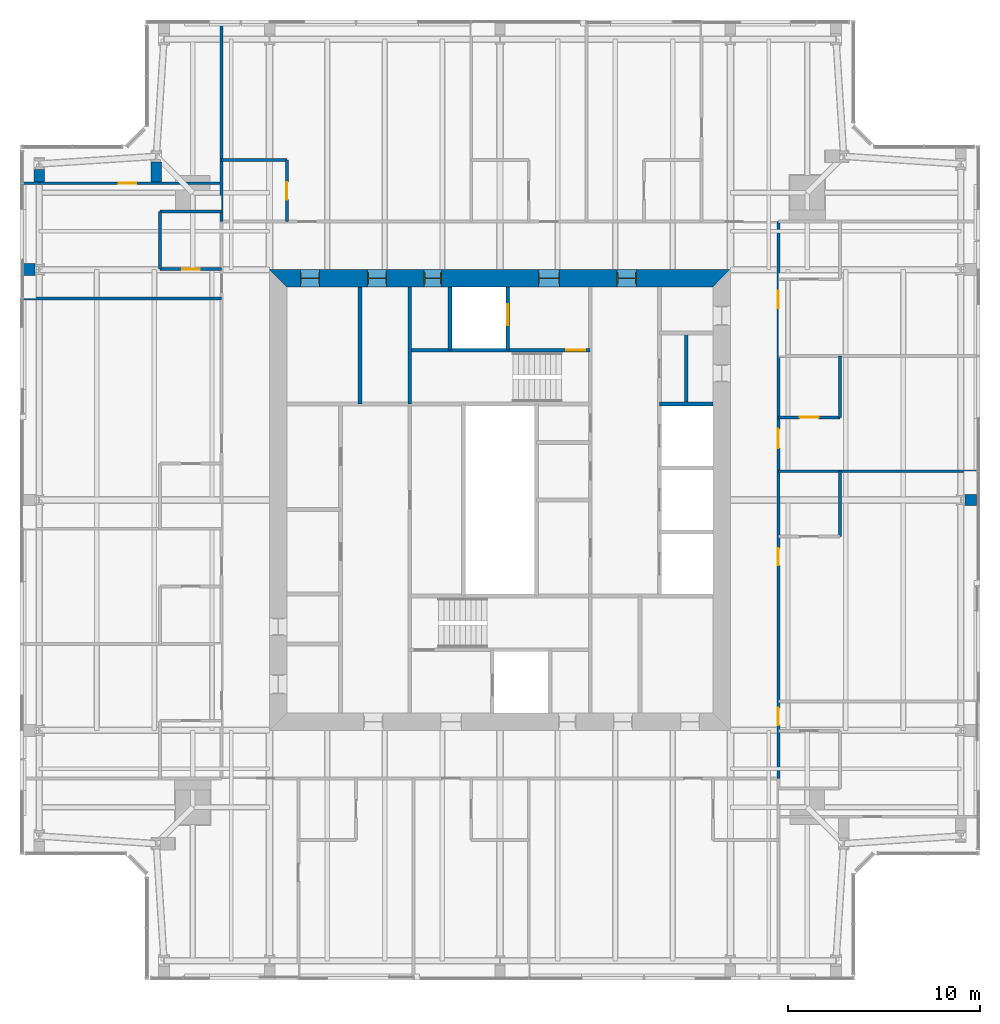
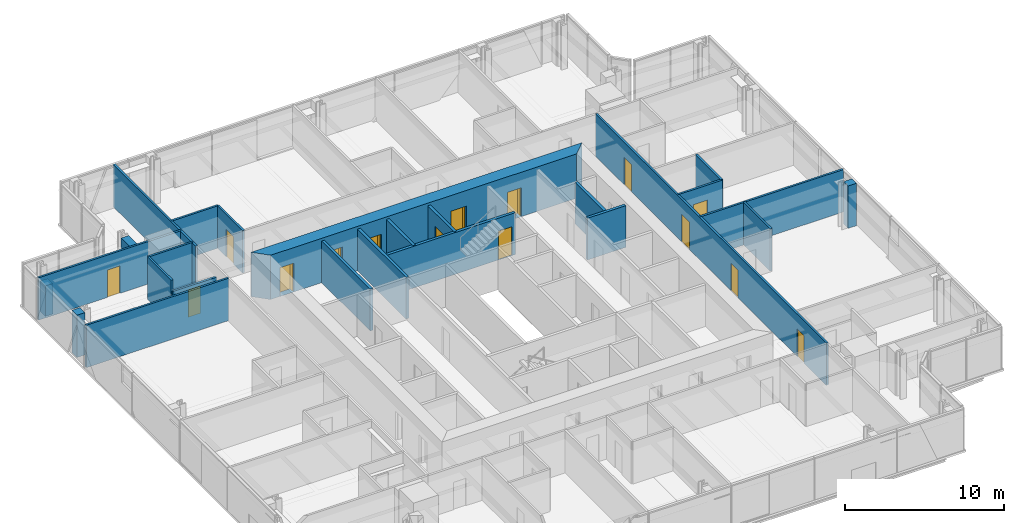
# One storey, part 14 of 18: 25 walls, 15 doors, 15 openings.
"""IFC4 building model written with IfcOpenShell, lengths in metres."""

from ifc_helpers import new_model, si_unit, direction, frame, frame_2d, origin, place, context, subcontext, project, spatial, polyline, rectangle, outline, extrude, material, layer, layer_set, type_object, element, fill, save


model = new_model("IFC4")

# Units and contexts
model_context = context("Model", 3, precision=1e-05, world=origin(), true_north=direction((0.0, 1.0)))
body_context = subcontext(model_context, "Body", "Model", "MODEL_VIEW")
ifc_project = project(units=[si_unit("LENGTHUNIT", "METRE"), si_unit("AREAUNIT", "SQUARE_METRE"), si_unit("VOLUMEUNIT", "CUBIC_METRE"), si_unit("PLANEANGLEUNIT", "RADIAN"), si_unit("MASSUNIT", "GRAM", prefix="KILO")], contexts=[model_context])

# Site, building, storey
site_placement = place(None, origin())
site = spatial("IfcSite", under=ifc_project, at=site_placement, CompositionType="ELEMENT")
building_placement = place(site_placement, origin())
building = spatial("IfcBuilding", under=site, at=building_placement, Name="Fenwick Lantern Interchange", CompositionType="ELEMENT")
storey_placement = place(building_placement, frame((0.0, 0.0, 290.0)))
storey = spatial("IfcBuildingStorey", under=building, at=storey_placement, Name="L70", CompositionType="ELEMENT", Elevation=290.0)

# Walls
ifc_material_1 = material(Name="Fire-rated gypsum board encasement on steel studs, 2 hour", Category="steel")
ifc_layer_1 = layer(ifc_material_1, 0.554931640625)
ifc_layer_set_1 = layer_set([ifc_layer_1], Name="COLUMN PIER 555")
wall_type_1 = type_object("IfcWallType", Name="COLUMN PIER 555", PredefinedType="PARTITIONING", material=ifc_layer_set_1)
wall_1_placement = place(storey_placement, frame((7.10009765625, 41.574951171875, 0.0), z_axis=(0.0, 0.0, 1.0), x_axis=(0.0, 1.0, 0.0)))
element("IfcWall", 1, at=wall_1_placement, inside=storey, type_object=wall_type_1, Name="L70/W/PIER/CNR", PredefinedType="PARTITIONING", context=body_context, shape_type="SweptSolid", body=[
    extrude(rectangle(XDim=1.04052734375, YDim=0.554931640625, at=frame_2d((0.520263671875, 0.0))), origin(), (0.0, 0.0, 1.0), 3.25),
])
wall_2_placement = place(storey_placement, frame((1.0, 41.574951171875, 0.0), z_axis=(0.0, 0.0, 1.0), x_axis=(0.0, 1.0, 0.0)))
element("IfcWall", 2, at=wall_2_placement, inside=storey, type_object=wall_type_1, Name="L70/W/PIER/CW1", PredefinedType="PARTITIONING", context=body_context, shape_type="SweptSolid", body=[
    extrude(rectangle(XDim=0.640625, YDim=0.554931640625, at=frame_2d((0.3203125, 0.0))), origin(), (0.0, 0.0, 1.0), 2.338134765625),
])
ifc_layer_2 = layer(ifc_material_1, 0.574951171875)
ifc_layer_set_2 = layer_set([ifc_layer_2], Name="COLUMN PIER 575")
wall_type_2 = type_object("IfcWallType", Name="COLUMN PIER 575", PredefinedType="PARTITIONING", material=ifc_layer_set_2)
wall_3_placement = place(storey_placement, frame((49.81005859375, 25.0, 0.0), z_axis=(0.0, 0.0, 1.0), x_axis=(-1.0, 0.0, 0.0)))
element("IfcWall", 3, at=wall_3_placement, inside=storey, type_object=wall_type_2, Name="L70/W/PIER/CE3", PredefinedType="PARTITIONING", context=body_context, shape_type="SweptSolid", body=[
    extrude(rectangle(XDim=0.597900390625, YDim=0.574951171875, at=frame_2d((0.298828125, 0.0))), origin(), (0.0, 0.0, 1.0), 3.25),
])
ifc_layer_3 = layer(ifc_material_1, 0.631103515625)
ifc_layer_set_3 = layer_set([ifc_layer_3], Name="COLUMN PIER 631")
wall_type_3 = type_object("IfcWallType", Name="COLUMN PIER 631", PredefinedType="PARTITIONING", material=ifc_layer_set_3)
wall_4_placement = place(storey_placement, frame((0.18994140625, 37.0, 0.0), z_axis=(0.0, 0.0, 1.0), x_axis=(1.0, 0.0, 0.0)))
element("IfcWall", 4, at=wall_4_placement, inside=storey, type_object=wall_type_3, Name="L70/W/PIER/CW2", PredefinedType="PARTITIONING", context=body_context, shape_type="SweptSolid", body=[
    extrude(rectangle(XDim=0.589111328125, YDim=0.631103515625, at=frame_2d((0.29443359375, 0.0))), origin(), (0.0, 0.0, 1.0), 3.25),
])
ifc_material_2 = material(Name="Concrete masonry ASTM C90 Grade N", Category="masonry")
ifc_layer_4 = layer(ifc_material_2, 0.199951171875)
ifc_layer_set_4 = layer_set([ifc_layer_4], Name="Concrete masonry ASTM C90 Grade N")
wall_type_4 = type_object("IfcWallType", Name="CORE PARTITION 200", PredefinedType="PARTITIONING", material=ifc_layer_set_4)
wall_5_placement = place(storey_placement, frame((36.10009765625, 30.0, 0.0), z_axis=(0.0, 0.0, 1.0), x_axis=(-1.0, 0.0, 0.0)))
element("IfcWall", 5, at=wall_5_placement, inside=storey, type_object=wall_type_4, Name="L70/W/COREN/c2", PredefinedType="PARTITIONING", context=body_context, shape_type="SweptSolid", body=[
    extrude(rectangle(XDim=2.800048828125, YDim=0.199951171875, at=frame_2d((1.39990234375, 0.0))), origin(), (0.0, 0.0, 1.0), 3.199951171875),
])

# Wall, opening, door
wall_6_placement = place(storey_placement, frame((25.39990234375, 36.10009765625, 0.0), z_axis=(0.0, 0.0, 1.0), x_axis=(0.0, -1.0, 0.0)))
wall_6 = element("IfcWall", 6, at=wall_6_placement, inside=storey, type_object=wall_type_4, Name="L70/W/COREN/h1", PredefinedType="PARTITIONING", context=body_context, shape_type="SweptSolid", body=[
    extrude(rectangle(XDim=3.300048828125, YDim=0.199951171875, at=frame_2d((1.64990234375, 0.0))), origin(), (0.0, 0.0, 1.0), 3.199951171875),
])
opening_1_placement = place(wall_6_placement, frame((0.89990234375, 0.0, 0.0)))
opening_1 = element("IfcOpeningElement", 7, at=opening_1_placement, cuts=wall_6, Name="Opening LD-FL2", PredefinedType="OPENING", context=body_context, shape_type="SweptSolid", body=[
    extrude(rectangle(XDim=1.10009765625, YDim=2.199951171875, at=frame_2d((0.550048828125, 1.10009765625))), frame((0.0, 0.10986328125, 0.0), z_axis=(0.0, -1.0, 0.0), x_axis=(1.0, 0.0, 0.0)), (0.0, 0.0, 1.0), 0.219970703125),
])
ifc_material_3 = material(Name="Steel door and frame", Category="steel")
door_type_1 = type_object("IfcDoorType", Name="LIFT LANDING DOOR 1100 X 2200", OperationType="DOUBLE_DOOR_SLIDING", PredefinedType="DOOR", material=ifc_material_3)
door_1_placement = place(opening_1_placement, origin())
door_1 = element("IfcDoor", 8, at=door_1_placement, inside=storey, type_object=door_type_1, Name="Lift landing door FL2", OperationType="DOUBLE_DOOR_SLIDING", OverallHeight=2.199951171875, OverallWidth=1.10009765625, PredefinedType="DOOR", context=body_context, shape_type="SweptSolid", body=[
    extrude(rectangle(XDim=1.10009765625, YDim=2.199951171875, at=frame_2d((0.550048828125, 1.10009765625))), frame((0.0, 0.02490234375, 0.0), z_axis=(0.0, -1.0, 0.0), x_axis=(1.0, 0.0, 0.0)), (0.0, 0.0, 1.0), 0.050048828125),
])
fill(opening_1, door_1)

# Walls
wall_7_placement = place(storey_placement, frame((22.39990234375, 36.10009765625, 0.0), z_axis=(0.0, 0.0, 1.0), x_axis=(0.0, -1.0, 0.0)))
element("IfcWall", 9, at=wall_7_placement, inside=storey, type_object=wall_type_4, Name="L70/W/COREN/h2", PredefinedType="PARTITIONING", context=body_context, shape_type="SweptSolid", body=[
    extrude(rectangle(XDim=3.300048828125, YDim=0.199951171875, at=frame_2d((1.64990234375, 0.0))), origin(), (0.0, 0.0, 1.0), 3.199951171875),
])
wall_8_placement = place(storey_placement, frame((17.699951171875, 36.10009765625, 0.0), z_axis=(0.0, 0.0, 1.0), x_axis=(0.0, -1.0, 0.0)))
element("IfcWall", 10, at=wall_8_placement, inside=storey, type_object=wall_type_4, Name="L70/W/COREN/i2", PredefinedType="PARTITIONING", context=body_context, shape_type="SweptSolid", body=[
    extrude(rectangle(XDim=6.10009765625, YDim=0.199951171875, at=frame_2d((3.050048828125, 0.0))), origin(), (0.0, 0.0, 1.0), 3.199951171875),
])
wall_9_placement = place(storey_placement, frame((34.699951171875, 33.699951171875, 0.0), z_axis=(0.0, 0.0, 1.0), x_axis=(0.0, -1.0, 0.0)))
element("IfcWall", 11, at=wall_9_placement, inside=storey, type_object=wall_type_4, Name="L70/W/COREN/px", PredefinedType="PARTITIONING", context=body_context, shape_type="SweptSolid", body=[
    extrude(rectangle(XDim=3.699951171875, YDim=0.199951171875, at=frame_2d((1.85009765625, 0.0))), origin(), (0.0, 0.0, 1.0), 3.199951171875),
])

# Wall, openings, doors
ifc_material_4 = material(Name="Concrete f'c 70 MPa", Category="concrete")
ifc_layer_5 = layer(ifc_material_4, 0.89990234375)
ifc_layer_set_5 = layer_set([ifc_layer_5], Name="CORE WALL 900")
wall_type_5 = type_object("IfcWallType", Name="CORE WALL 900", PredefinedType="SHEAR", material=ifc_layer_set_5)
wall_10_placement = place(storey_placement, frame((37.0, 36.550048828125, 0.0), z_axis=(0.0, 0.0, 1.0), x_axis=(-1.0, 0.0, 0.0)))
wall_10 = element("IfcWall", 12, at=wall_10_placement, inside=storey, type_object=wall_type_5, Name="L70/CORE/N", PredefinedType="SHEAR", context=body_context, shape_type="SweptSolid", body=[
    extrude(outline(polyline([(0.0, -0.449951171875), (24.0, -0.449951171875), (23.10009765625, 0.449951171875), (0.89990234375, 0.449951171875), (0.0, -0.449951171875)])), origin(), (0.0, 0.0, 1.0), 3.39990234375),
])
opening_2_placement = place(wall_10_placement, frame((4.89990234375, 0.0, 0.0)))
opening_2 = element("IfcOpeningElement", 13, at=opening_2_placement, cuts=wall_10, Name="Opening L70-D012", PredefinedType="OPENING", context=body_context, shape_type="SweptSolid", body=[
    extrude(rectangle(XDim=1.0, YDim=2.199951171875, at=frame_2d((0.5, 1.10009765625))), frame((0.0, 0.4599609375, 0.0), z_axis=(0.0, -1.0, 0.0), x_axis=(1.0, 0.0, 0.0)), (0.0, 0.0, 1.0), 0.919921875),
])
opening_3_placement = place(wall_10_placement, frame((8.89990234375, 0.0, 0.0)))
opening_3 = element("IfcOpeningElement", 14, at=opening_3_placement, cuts=wall_10, Name="Opening L70-D013", PredefinedType="OPENING", context=body_context, shape_type="SweptSolid", body=[
    extrude(rectangle(XDim=1.10009765625, YDim=2.199951171875, at=frame_2d((0.550048828125, 1.10009765625))), frame((0.0, 0.4599609375, 0.0), z_axis=(0.0, -1.0, 0.0), x_axis=(1.0, 0.0, 0.0)), (0.0, 0.0, 1.0), 0.919921875),
])
opening_4_placement = place(wall_10_placement, frame((15.050048828125, 0.0, 0.0)))
opening_4 = element("IfcOpeningElement", 15, at=opening_4_placement, cuts=wall_10, Name="Opening L70-D015", PredefinedType="OPENING", context=body_context, shape_type="SweptSolid", body=[
    extrude(rectangle(XDim=0.89990234375, YDim=2.199951171875, at=frame_2d((0.449951171875, 1.10009765625))), frame((0.0, 0.4599609375, 0.0), z_axis=(0.0, -1.0, 0.0), x_axis=(1.0, 0.0, 0.0)), (0.0, 0.0, 1.0), 0.919921875),
])
opening_5_placement = place(wall_10_placement, frame((17.89990234375, 0.0, 0.0)))
opening_5 = element("IfcOpeningElement", 16, at=opening_5_placement, cuts=wall_10, Name="Opening L70-D016", PredefinedType="OPENING", context=body_context, shape_type="SweptSolid", body=[
    extrude(rectangle(XDim=1.0, YDim=2.199951171875, at=frame_2d((0.5, 1.10009765625))), frame((0.0, 0.4599609375, 0.0), z_axis=(0.0, -1.0, 0.0), x_axis=(1.0, 0.0, 0.0)), (0.0, 0.0, 1.0), 0.919921875),
])
opening_6_placement = place(wall_10_placement, frame((21.39990234375, 0.0, 0.0)))
opening_6 = element("IfcOpeningElement", 17, at=opening_6_placement, cuts=wall_10, Name="Opening L70-D017", PredefinedType="OPENING", context=body_context, shape_type="SweptSolid", body=[
    extrude(rectangle(XDim=1.0, YDim=2.199951171875, at=frame_2d((0.5, 1.10009765625))), frame((0.0, 0.4599609375, 0.0), z_axis=(0.0, -1.0, 0.0), x_axis=(1.0, 0.0, 0.0)), (0.0, 0.0, 1.0), 0.919921875),
])
door_type_2 = type_object("IfcDoorType", Name="CORE LOBBY DOOR 1000 X 2200", OperationType="SINGLE_SWING_LEFT", PredefinedType="DOOR", material=ifc_material_3)
door_2_placement = place(opening_2_placement, origin())
door_2 = element("IfcDoor", 18, at=door_2_placement, inside=storey, type_object=door_type_2, Name="Core lobby door", OperationType="SINGLE_SWING_LEFT", OverallHeight=2.199951171875, OverallWidth=1.0, PredefinedType="DOOR", context=body_context, shape_type="SweptSolid", body=[
    extrude(rectangle(XDim=1.0, YDim=2.199951171875, at=frame_2d((0.5, 1.10009765625))), frame((0.0, 0.02490234375, 0.0), z_axis=(0.0, -1.0, 0.0), x_axis=(1.0, 0.0, 0.0)), (0.0, 0.0, 1.0), 0.050048828125),
    extrude(outline(polyline([(0.0, 0.0), (0.0400390625, 0.0), (0.0400390625, 2.159912109375), (0.9599609375, 2.159912109375), (0.9599609375, 0.0), (1.0, 0.0), (1.0, 2.199951171875), (0.0, 2.199951171875), (0.0, 0.0)])), frame((0.0, 0.300048828125, 0.0), z_axis=(0.0, -1.0, 0.0), x_axis=(1.0, 0.0, 0.0)), (0.0, 0.0, 1.0), 0.60009765625),
])
fill(opening_2, door_2)
door_type_3 = type_object("IfcDoorType", Name="FIRE LOBBY DOOR 1100 X 2200", OperationType="SINGLE_SWING_LEFT", PredefinedType="DOOR", material=ifc_material_3)
door_3_placement = place(opening_3_placement, origin())
door_3 = element("IfcDoor", 19, at=door_3_placement, inside=storey, type_object=door_type_3, Name="Fire lobby door", OperationType="SINGLE_SWING_LEFT", OverallHeight=2.199951171875, OverallWidth=1.10009765625, PredefinedType="DOOR", context=body_context, shape_type="SweptSolid", body=[
    extrude(rectangle(XDim=1.10009765625, YDim=2.199951171875, at=frame_2d((0.550048828125, 1.10009765625))), frame((0.0, 0.02490234375, 0.0), z_axis=(0.0, -1.0, 0.0), x_axis=(1.0, 0.0, 0.0)), (0.0, 0.0, 1.0), 0.050048828125),
    extrude(outline(polyline([(0.0, 0.0), (0.0400390625, 0.0), (0.0400390625, 2.159912109375), (1.06005859375, 2.159912109375), (1.06005859375, 0.0), (1.10009765625, 0.0), (1.10009765625, 2.199951171875), (0.0, 2.199951171875), (0.0, 0.0)])), frame((0.0, 0.300048828125, 0.0), z_axis=(0.0, -1.0, 0.0), x_axis=(1.0, 0.0, 0.0)), (0.0, 0.0, 1.0), 0.60009765625),
])
fill(opening_3, door_3)
door_type_4 = type_object("IfcDoorType", Name="SERVICE DOOR 900 X 2200", OperationType="SINGLE_SWING_LEFT", PredefinedType="DOOR", material=ifc_material_3)
door_4_placement = place(opening_4_placement, origin())
door_4 = element("IfcDoor", 20, at=door_4_placement, inside=storey, type_object=door_type_4, Name="Service door", OperationType="SINGLE_SWING_LEFT", OverallHeight=2.199951171875, OverallWidth=0.89990234375, PredefinedType="DOOR", context=body_context, shape_type="SweptSolid", body=[
    extrude(rectangle(XDim=0.89990234375, YDim=2.199951171875, at=frame_2d((0.449951171875, 1.10009765625))), frame((0.0, 0.02490234375, 0.0), z_axis=(0.0, -1.0, 0.0), x_axis=(1.0, 0.0, 0.0)), (0.0, 0.0, 1.0), 0.050048828125),
    extrude(outline(polyline([(0.0, 0.0), (0.0400390625, 0.0), (0.0400390625, 2.159912109375), (0.85986328125, 2.159912109375), (0.85986328125, 0.0), (0.89990234375, 0.0), (0.89990234375, 2.199951171875), (0.0, 2.199951171875), (0.0, 0.0)])), frame((0.0, 0.300048828125, 0.0), z_axis=(0.0, -1.0, 0.0), x_axis=(1.0, 0.0, 0.0)), (0.0, 0.0, 1.0), 0.60009765625),
])
fill(opening_4, door_4)
ifc_material_5 = material(Name="Hardwood door and steel frame", Category="steel")
door_type_5 = type_object("IfcDoorType", Name="WC DOOR 1000 X 2200", OperationType="SINGLE_SWING_LEFT", PredefinedType="DOOR", material=ifc_material_5)
door_5_placement = place(opening_5_placement, origin())
door_5 = element("IfcDoor", 21, at=door_5_placement, inside=storey, type_object=door_type_5, Name="Wc door", OperationType="SINGLE_SWING_RIGHT", OverallHeight=2.199951171875, OverallWidth=1.0, PredefinedType="DOOR", context=body_context, shape_type="SweptSolid", body=[
    extrude(rectangle(XDim=1.0, YDim=2.199951171875, at=frame_2d((0.5, 1.10009765625))), frame((0.0, 0.02490234375, 0.0), z_axis=(0.0, -1.0, 0.0), x_axis=(1.0, 0.0, 0.0)), (0.0, 0.0, 1.0), 0.050048828125),
    extrude(outline(polyline([(0.0, 0.0), (0.0400390625, 0.0), (0.0400390625, 2.159912109375), (0.9599609375, 2.159912109375), (0.9599609375, 0.0), (1.0, 0.0), (1.0, 2.199951171875), (0.0, 2.199951171875), (0.0, 0.0)])), frame((0.0, 0.300048828125, 0.0), z_axis=(0.0, -1.0, 0.0), x_axis=(1.0, 0.0, 0.0)), (0.0, 0.0, 1.0), 0.60009765625),
])
fill(opening_5, door_5)
door_6_placement = place(opening_6_placement, origin())
door_6 = element("IfcDoor", 22, at=door_6_placement, inside=storey, type_object=door_type_5, Name="Wc door", OperationType="SINGLE_SWING_RIGHT", OverallHeight=2.199951171875, OverallWidth=1.0, PredefinedType="DOOR", context=body_context, shape_type="SweptSolid", body=[
    extrude(rectangle(XDim=1.0, YDim=2.199951171875, at=frame_2d((0.5, 1.10009765625))), frame((0.0, 0.02490234375, 0.0), z_axis=(0.0, -1.0, 0.0), x_axis=(1.0, 0.0, 0.0)), (0.0, 0.0, 1.0), 0.050048828125),
    extrude(outline(polyline([(0.0, 0.0), (0.0400390625, 0.0), (0.0400390625, 2.159912109375), (0.9599609375, 2.159912109375), (0.9599609375, 0.0), (1.0, 0.0), (1.0, 2.199951171875), (0.0, 2.199951171875), (0.0, 0.0)])), frame((0.0, 0.300048828125, 0.0), z_axis=(0.0, -1.0, 0.0), x_axis=(1.0, 0.0, 0.0)), (0.0, 0.0, 1.0), 0.60009765625),
])
fill(opening_6, door_6)

ifc_material_6 = material(Name="Gypsum board on steel studs, 1 hour", Category="steel")
ifc_layer_6 = layer(ifc_material_6, 0.14990234375)
ifc_layer_set_6 = layer_set([ifc_layer_6], Name="CORRIDOR WALL 150")
wall_type_6 = type_object("IfcWallType", Name="CORRIDOR WALL 150", PredefinedType="PARTITIONING", material=ifc_layer_set_6)
wall_11_placement = place(storey_placement, frame((39.5, 10.5, 0.0), z_axis=(0.0, 0.0, 1.0), x_axis=(0.0, 1.0, 0.0)))
wall_11 = element("IfcWall", 23, at=wall_11_placement, inside=storey, type_object=wall_type_6, Name="L70/W/HOTEL/E/CW", PredefinedType="PARTITIONING", context=body_context, shape_type="SweptSolid", body=[
    extrude(rectangle(XDim=29.0, YDim=0.14990234375, at=frame_2d((14.5, 0.0))), origin(), (0.0, 0.0, 1.0), 3.25),
])
opening_7_placement = place(wall_11_placement, frame((2.77490234375, 0.0, 0.0)))
opening_7 = element("IfcOpeningElement", 24, at=opening_7_placement, cuts=wall_11, Name="Opening L70-D033", PredefinedType="OPENING", context=body_context, shape_type="SweptSolid", body=[
    extrude(rectangle(XDim=0.89990234375, YDim=2.10009765625, at=frame_2d((0.449951171875, 1.050048828125))), frame((0.0, 0.0849609375, 0.0), z_axis=(0.0, -1.0, 0.0), x_axis=(1.0, 0.0, 0.0)), (0.0, 0.0, 1.0), 0.169921875),
])
opening_8_placement = place(wall_11_placement, frame((11.10009765625, 0.0, 0.0)))
opening_8 = element("IfcOpeningElement", 25, at=opening_8_placement, cuts=wall_11, Name="Opening L70-D035", PredefinedType="OPENING", context=body_context, shape_type="SweptSolid", body=[
    extrude(rectangle(XDim=0.89990234375, YDim=2.10009765625, at=frame_2d((0.449951171875, 1.050048828125))), frame((0.0, 0.0849609375, 0.0), z_axis=(0.0, -1.0, 0.0), x_axis=(1.0, 0.0, 0.0)), (0.0, 0.0, 1.0), 0.169921875),
])
opening_9_placement = place(wall_11_placement, frame((17.199951171875, 0.0, 0.0)))
opening_9 = element("IfcOpeningElement", 26, at=opening_9_placement, cuts=wall_11, Name="Opening L70-D037", PredefinedType="OPENING", context=body_context, shape_type="SweptSolid", body=[
    extrude(rectangle(XDim=1.0, YDim=2.10009765625, at=frame_2d((0.5, 1.050048828125))), frame((0.0, 0.0849609375, 0.0), z_axis=(0.0, -1.0, 0.0), x_axis=(1.0, 0.0, 0.0)), (0.0, 0.0, 1.0), 0.169921875),
])
opening_10_placement = place(wall_11_placement, frame((24.5, 0.0, 0.0)))
opening_10 = element("IfcOpeningElement", 27, at=opening_10_placement, cuts=wall_11, Name="Opening L70-D039", PredefinedType="OPENING", context=body_context, shape_type="SweptSolid", body=[
    extrude(rectangle(XDim=0.89990234375, YDim=2.10009765625, at=frame_2d((0.449951171875, 1.050048828125))), frame((0.0, 0.0849609375, 0.0), z_axis=(0.0, -1.0, 0.0), x_axis=(1.0, 0.0, 0.0)), (0.0, 0.0, 1.0), 0.169921875),
])
door_type_6 = type_object("IfcDoorType", Name="GUEST ROOM DOOR 1000 X 2100", OperationType="SINGLE_SWING_LEFT", PredefinedType="DOOR", material=ifc_material_3)
door_7_placement = place(opening_9_placement, frame((1.0, 0.0, 0.0), z_axis=(0.0, 0.0, 1.0), x_axis=(-1.0, 0.0, 0.0)))
door_7 = element("IfcDoor", 28, at=door_7_placement, inside=storey, type_object=door_type_6, Name="Guest room door", OperationType="SINGLE_SWING_LEFT", OverallHeight=2.10009765625, OverallWidth=1.0, PredefinedType="DOOR", context=body_context, shape_type="SweptSolid", body=[
    extrude(rectangle(XDim=1.0, YDim=2.10009765625, at=frame_2d((0.5, 1.050048828125))), frame((0.0, 0.02490234375, 0.0), z_axis=(0.0, -1.0, 0.0), x_axis=(1.0, 0.0, 0.0)), (0.0, 0.0, 1.0), 0.050048828125),
])
fill(opening_9, door_7)
door_type_7 = type_object("IfcDoorType", Name="GUEST ROOM DOOR 900 X 2100", OperationType="SINGLE_SWING_LEFT", PredefinedType="DOOR", material=ifc_material_3)
door_8_placement = place(opening_7_placement, frame((0.89990234375, 0.0, 0.0), z_axis=(0.0, 0.0, 1.0), x_axis=(-1.0, 0.0, 0.0)))
door_8 = element("IfcDoor", 29, at=door_8_placement, inside=storey, type_object=door_type_7, Name="Guest room door", OperationType="SINGLE_SWING_RIGHT", OverallHeight=2.10009765625, OverallWidth=0.89990234375, PredefinedType="DOOR", context=body_context, shape_type="SweptSolid", body=[
    extrude(rectangle(XDim=0.89990234375, YDim=2.10009765625, at=frame_2d((0.449951171875, 1.050048828125))), frame((0.0, 0.02490234375, 0.0), z_axis=(0.0, -1.0, 0.0), x_axis=(1.0, 0.0, 0.0)), (0.0, 0.0, 1.0), 0.050048828125),
])
fill(opening_7, door_8)
door_9_placement = place(opening_8_placement, frame((0.89990234375, 0.0, 0.0), z_axis=(0.0, 0.0, 1.0), x_axis=(-1.0, 0.0, 0.0)))
door_9 = element("IfcDoor", 30, at=door_9_placement, inside=storey, type_object=door_type_7, Name="Guest room door", OperationType="SINGLE_SWING_LEFT", OverallHeight=2.10009765625, OverallWidth=0.89990234375, PredefinedType="DOOR", context=body_context, shape_type="SweptSolid", body=[
    extrude(rectangle(XDim=0.89990234375, YDim=2.10009765625, at=frame_2d((0.449951171875, 1.050048828125))), frame((0.0, 0.02490234375, 0.0), z_axis=(0.0, -1.0, 0.0), x_axis=(1.0, 0.0, 0.0)), (0.0, 0.0, 1.0), 0.050048828125),
])
fill(opening_8, door_9)
door_10_placement = place(opening_10_placement, frame((0.89990234375, 0.0, 0.0), z_axis=(0.0, 0.0, 1.0), x_axis=(-1.0, 0.0, 0.0)))
door_10 = element("IfcDoor", 31, at=door_10_placement, inside=storey, type_object=door_type_7, Name="Guest room door", OperationType="SINGLE_SWING_LEFT", OverallHeight=2.10009765625, OverallWidth=0.89990234375, PredefinedType="DOOR", context=body_context, shape_type="SweptSolid", body=[
    extrude(rectangle(XDim=0.89990234375, YDim=2.10009765625, at=frame_2d((0.449951171875, 1.050048828125))), frame((0.0, 0.02490234375, 0.0), z_axis=(0.0, -1.0, 0.0), x_axis=(1.0, 0.0, 0.0)), (0.0, 0.0, 1.0), 0.050048828125),
])
fill(opening_10, door_10)

# Walls
ifc_material_7 = material(Name="Gypsum board on steel studs, moisture resistant", Category="steel")
ifc_layer_7 = layer(ifc_material_7, 0.14990234375)
ifc_layer_set_7 = layer_set([ifc_layer_7], Name="EN-SUITE WALL 150")
wall_type_7 = type_object("IfcWallType", Name="EN-SUITE WALL 150", PredefinedType="PARTITIONING", material=ifc_layer_set_7)
wall_12_placement = place(storey_placement, frame((42.699951171875, 23.10009765625, 0.0), z_axis=(0.0, 0.0, 1.0), x_axis=(0.0, 1.0, 0.0)))
element("IfcWall", 32, at=wall_12_placement, inside=storey, type_object=wall_type_7, Name="L70/W/HOTEL/E/U2BW", PredefinedType="PARTITIONING", context=body_context, shape_type="SweptSolid", body=[
    extrude(rectangle(XDim=3.39990234375, YDim=0.14990234375, at=frame_2d((1.699951171875, 0.0))), origin(), (0.0, 0.0, 1.0), 3.25),
])
wall_13_placement = place(storey_placement, frame((42.699951171875, 29.300048828125, 0.0), z_axis=(0.0, 0.0, 1.0), x_axis=(0.0, 1.0, 0.0)))
element("IfcWall", 33, at=wall_13_placement, inside=storey, type_object=wall_type_7, Name="L70/W/HOTEL/E/U3BW", PredefinedType="PARTITIONING", context=body_context, shape_type="SweptSolid", body=[
    extrude(rectangle(XDim=3.199951171875, YDim=0.14990234375, at=frame_2d((1.60009765625, 0.0))), origin(), (0.0, 0.0, 1.0), 3.25),
])

# Wall, opening, door
wall_14_placement = place(storey_placement, frame((42.699951171875, 29.300048828125, 0.0), z_axis=(0.0, 0.0, 1.0), x_axis=(-1.0, 0.0, 0.0)))
wall_14 = element("IfcWall", 34, at=wall_14_placement, inside=storey, type_object=wall_type_7, Name="L70/W/HOTEL/E/U3BX", PredefinedType="PARTITIONING", context=body_context, shape_type="SweptSolid", body=[
    extrude(rectangle(XDim=3.199951171875, YDim=0.14990234375, at=frame_2d((1.60009765625, 0.0))), origin(), (0.0, 0.0, 1.0), 3.25),
])
opening_11_placement = place(wall_14_placement, frame((1.10009765625, 0.0, 0.0)))
opening_11 = element("IfcOpeningElement", 35, at=opening_11_placement, cuts=wall_14, Name="Opening L70-D036", PredefinedType="OPENING", context=body_context, shape_type="SweptSolid", body=[
    extrude(rectangle(XDim=1.0, YDim=2.10009765625, at=frame_2d((0.5, 1.050048828125))), frame((0.0, 0.0849609375, 0.0), z_axis=(0.0, -1.0, 0.0), x_axis=(1.0, 0.0, 0.0)), (0.0, 0.0, 1.0), 0.169921875),
])
door_type_8 = type_object("IfcDoorType", Name="EN-SUITE DOOR 1000 X 2100", OperationType="SINGLE_SWING_LEFT", PredefinedType="DOOR", material=ifc_material_5)
door_11_placement = place(opening_11_placement, frame((1.0, 0.0, 0.0), z_axis=(0.0, 0.0, 1.0), x_axis=(-1.0, 0.0, 0.0)))
door_11 = element("IfcDoor", 36, at=door_11_placement, inside=storey, type_object=door_type_8, Name="En-suite door", OperationType="SINGLE_SWING_RIGHT", OverallHeight=2.10009765625, OverallWidth=1.0, PredefinedType="DOOR", context=body_context, shape_type="SweptSolid", body=[
    extrude(rectangle(XDim=1.0, YDim=2.10009765625, at=frame_2d((0.5, 1.050048828125))), frame((0.0, 0.02490234375, 0.0), z_axis=(0.0, -1.0, 0.0), x_axis=(1.0, 0.0, 0.0)), (0.0, 0.0, 1.0), 0.050048828125),
])
fill(opening_11, door_11)

# Wall
wall_15_placement = place(storey_placement, frame((13.89990234375, 42.699951171875, 0.0), z_axis=(0.0, 0.0, 1.0), x_axis=(-1.0, 0.0, 0.0)))
element("IfcWall", 37, at=wall_15_placement, inside=storey, type_object=wall_type_7, Name="L70/W/HOTEL/N/U3BW", PredefinedType="PARTITIONING", context=body_context, shape_type="SweptSolid", body=[
    extrude(rectangle(XDim=3.39990234375, YDim=0.14990234375, at=frame_2d((1.699951171875, 0.0))), origin(), (0.0, 0.0, 1.0), 3.25),
])

# Wall, opening, door
wall_16_placement = place(storey_placement, frame((13.89990234375, 42.699951171875, 0.0), z_axis=(0.0, 0.0, 1.0), x_axis=(0.0, -1.0, 0.0)))
wall_16 = element("IfcWall", 38, at=wall_16_placement, inside=storey, type_object=wall_type_7, Name="L70/W/HOTEL/N/U3BX", PredefinedType="PARTITIONING", context=body_context, shape_type="SweptSolid", body=[
    extrude(rectangle(XDim=3.199951171875, YDim=0.14990234375, at=frame_2d((1.60009765625, 0.0))), origin(), (0.0, 0.0, 1.0), 3.25),
])
opening_12_placement = place(wall_16_placement, frame((1.14990234375, 0.0, 0.0)))
opening_12 = element("IfcOpeningElement", 39, at=opening_12_placement, cuts=wall_16, Name="Opening L70-D045", PredefinedType="OPENING", context=body_context, shape_type="SweptSolid", body=[
    extrude(rectangle(XDim=0.89990234375, YDim=2.10009765625, at=frame_2d((0.449951171875, 1.050048828125))), frame((0.0, 0.0849609375, 0.0), z_axis=(0.0, -1.0, 0.0), x_axis=(1.0, 0.0, 0.0)), (0.0, 0.0, 1.0), 0.169921875),
])
door_type_9 = type_object("IfcDoorType", Name="EN-SUITE DOOR 900 X 2100", OperationType="SINGLE_SWING_LEFT", PredefinedType="DOOR", material=ifc_material_5)
door_12_placement = place(opening_12_placement, frame((0.89990234375, 0.0, 0.0), z_axis=(0.0, 0.0, 1.0), x_axis=(-1.0, 0.0, 0.0)))
door_12 = element("IfcDoor", 40, at=door_12_placement, inside=storey, type_object=door_type_9, Name="En-suite door", OperationType="SINGLE_SWING_RIGHT", OverallHeight=2.10009765625, OverallWidth=0.89990234375, PredefinedType="DOOR", context=body_context, shape_type="SweptSolid", body=[
    extrude(rectangle(XDim=0.89990234375, YDim=2.10009765625, at=frame_2d((0.449951171875, 1.050048828125))), frame((0.0, 0.02490234375, 0.0), z_axis=(0.0, -1.0, 0.0), x_axis=(1.0, 0.0, 0.0)), (0.0, 0.0, 1.0), 0.050048828125),
])
fill(opening_12, door_12)

# Wall
wall_17_placement = place(storey_placement, frame((7.300048828125, 40.02490234375, 0.0), z_axis=(0.0, 0.0, 1.0), x_axis=(0.0, -1.0, 0.0)))
element("IfcWall", 41, at=wall_17_placement, inside=storey, type_object=wall_type_7, Name="L70/W/HOTEL/W/U1BW", PredefinedType="PARTITIONING", context=body_context, shape_type="SweptSolid", body=[
    extrude(rectangle(XDim=3.0, YDim=0.14990234375, at=frame_2d((1.5, 0.0))), origin(), (0.0, 0.0, 1.0), 3.25),
])

# Wall, opening, door
wall_18_placement = place(storey_placement, frame((7.300048828125, 37.02490234375, 0.0), z_axis=(0.0, 0.0, 1.0), x_axis=(1.0, 0.0, 0.0)))
wall_18 = element("IfcWall", 42, at=wall_18_placement, inside=storey, type_object=wall_type_7, Name="L70/W/HOTEL/W/U1BX", PredefinedType="PARTITIONING", context=body_context, shape_type="SweptSolid", body=[
    extrude(rectangle(XDim=3.199951171875, YDim=0.14990234375, at=frame_2d((1.60009765625, 0.0))), origin(), (0.0, 0.0, 1.0), 2.404296875),
])
opening_13_placement = place(wall_18_placement, frame((1.14990234375, 0.0, 0.0)))
opening_13 = element("IfcOpeningElement", 43, at=opening_13_placement, cuts=wall_18, Name="Opening L70-D047", PredefinedType="OPENING", context=body_context, shape_type="SweptSolid", body=[
    extrude(rectangle(XDim=0.89990234375, YDim=2.10009765625, at=frame_2d((0.449951171875, 1.050048828125))), frame((0.0, 0.0849609375, 0.0), z_axis=(0.0, -1.0, 0.0), x_axis=(1.0, 0.0, 0.0)), (0.0, 0.0, 1.0), 0.169921875),
])
door_13_placement = place(opening_13_placement, origin())
door_13 = element("IfcDoor", 44, at=door_13_placement, inside=storey, type_object=door_type_9, Name="En-suite door", OperationType="SINGLE_SWING_LEFT", OverallHeight=2.10009765625, OverallWidth=0.89990234375, PredefinedType="DOOR", context=body_context, shape_type="SweptSolid", body=[
    extrude(rectangle(XDim=0.89990234375, YDim=2.10009765625, at=frame_2d((0.449951171875, 1.050048828125))), frame((0.0, 0.02490234375, 0.0), z_axis=(0.0, -1.0, 0.0), x_axis=(1.0, 0.0, 0.0)), (0.0, 0.0, 1.0), 0.050048828125),
])
fill(opening_13, door_13)

# Walls
wall_19_placement = place(storey_placement, frame((7.300048828125, 40.02490234375, 0.0), z_axis=(0.0, 0.0, 1.0), x_axis=(1.0, 0.0, 0.0)))
element("IfcWall", 45, at=wall_19_placement, inside=storey, type_object=wall_type_7, Name="L70/W/HOTEL/W/U1BV", PredefinedType="PARTITIONING", context=body_context, shape_type="SweptSolid", body=[
    extrude(rectangle(XDim=3.199951171875, YDim=0.14990234375, at=frame_2d((1.60009765625, 0.0))), origin(), (0.0, 0.0, 1.0), 3.25),
])
ifc_material_8 = material(Name="Gypsum board on steel studs, 1 hour acoustic", Category="steel")
ifc_layer_8 = layer(ifc_material_8, 0.14990234375)
ifc_layer_set_8 = layer_set([ifc_layer_8], Name="PARTY WALL 150")
wall_type_8 = type_object("IfcWallType", Name="PARTY WALL 150", PredefinedType="PARTITIONING", material=ifc_layer_set_8)
for number, where, z_axis, x_axis, name in (
    (46, (49.85009765625, 26.5, 0.0), (0.0, 0.0, 1.0), (-1.0, 0.0, 0.0), "L70/W/HOTEL/E/U3PW"),
    (47, (10.5, 49.85009765625, 0.0), (0.0, 0.0, 1.0), (0.0, -1.0, 0.0), "L70/W/HOTEL/W/SW3"),
    (48, (0.14990234375, 35.5, 0.0), (0.0, 0.0, 1.0), (1.0, 0.0, 0.0), "L70/W/HOTEL/W/U2PW"),
):
    element("IfcWall", number, at=place(storey_placement, frame(where, z_axis=z_axis, x_axis=x_axis)), inside=storey, type_object=wall_type_8, Name=name, PredefinedType="PARTITIONING", context=body_context, shape_type="SweptSolid", body=[
        extrude(rectangle(XDim=10.35009765625, YDim=0.14990234375, at=frame_2d((5.175048828125, 0.0))), origin(), (0.0, 0.0, 1.0), 3.25),
    ])

# Wall, opening, door
ifc_material_9 = material(Name="Concrete f'c 45 MPa", Category="concrete")
ifc_layer_9 = layer(ifc_material_9, 0.199951171875)
ifc_layer_set_9 = layer_set([ifc_layer_9], Name="STAIR CORE WALL 200")
wall_type_9 = type_object("IfcWallType", Name="STAIR CORE WALL 200", PredefinedType="SOLIDWALL", material=ifc_layer_set_9)
wall_20_placement = place(storey_placement, frame((29.699951171875, 32.800048828125, 0.0), z_axis=(0.0, 0.0, 1.0), x_axis=(-1.0, 0.0, 0.0)))
wall_20 = element("IfcWall", 49, at=wall_20_placement, inside=storey, type_object=wall_type_9, Name="L70/W/COREN/g1", PredefinedType="SOLIDWALL", context=body_context, shape_type="SweptSolid", body=[
    extrude(rectangle(XDim=9.39990234375, YDim=0.199951171875, at=frame_2d((4.699951171875, 0.0))), origin(), (0.0, 0.0, 1.0), 3.199951171875),
])
opening_14_placement = place(wall_20_placement, frame((0.25, 0.0, 0.0)))
opening_14 = element("IfcOpeningElement", 50, at=opening_14_placement, cuts=wall_20, Name="Opening L70-D014", PredefinedType="OPENING", context=body_context, shape_type="SweptSolid", body=[
    extrude(rectangle(XDim=1.0, YDim=2.199951171875, at=frame_2d((0.5, 1.10009765625))), frame((0.0, 0.10986328125, 0.0), z_axis=(0.0, -1.0, 0.0), x_axis=(1.0, 0.0, 0.0)), (0.0, 0.0, 1.0), 0.219970703125),
])
door_type_10 = type_object("IfcDoorType", Name="STAIR DOOR 1000 X 2200", OperationType="SINGLE_SWING_LEFT", PredefinedType="DOOR", material=ifc_material_3)
door_14_placement = place(opening_14_placement, origin())
door_14 = element("IfcDoor", 51, at=door_14_placement, inside=storey, type_object=door_type_10, Name="Stair door", OperationType="SINGLE_SWING_LEFT", OverallHeight=2.199951171875, OverallWidth=1.0, PredefinedType="DOOR", context=body_context, shape_type="SweptSolid", body=[
    extrude(rectangle(XDim=1.0, YDim=2.199951171875, at=frame_2d((0.5, 1.10009765625))), frame((0.0, 0.02490234375, 0.0), z_axis=(0.0, -1.0, 0.0), x_axis=(1.0, 0.0, 0.0)), (0.0, 0.0, 1.0), 0.050048828125),
])
fill(opening_14, door_14)

# Wall
wall_21_placement = place(storey_placement, frame((20.300048828125, 36.10009765625, 0.0), z_axis=(0.0, 0.0, 1.0), x_axis=(0.0, -1.0, 0.0)))
element("IfcWall", 52, at=wall_21_placement, inside=storey, type_object=wall_type_9, Name="L70/W/COREN/i1", PredefinedType="SOLIDWALL", context=body_context, shape_type="SweptSolid", body=[
    extrude(rectangle(XDim=6.10009765625, YDim=0.199951171875, at=frame_2d((3.050048828125, 0.0))), origin(), (0.0, 0.0, 1.0), 3.199951171875),
])

# Wall, opening, door
ifc_material_10 = material(Name="Gypsum board on steel studs, acoustic", Category="steel")
ifc_layer_10 = layer(ifc_material_10, 0.14990234375)
ifc_layer_set_10 = layer_set([ifc_layer_10], Name="SUITE PARTITION 150")
wall_type_10 = type_object("IfcWallType", Name="SUITE PARTITION 150", PredefinedType="PARTITIONING", material=ifc_layer_set_10)
wall_22_placement = place(storey_placement, frame((0.14990234375, 41.5, 0.0), z_axis=(0.0, 0.0, 1.0), x_axis=(1.0, 0.0, 0.0)))
wall_22 = element("IfcWall", 53, at=wall_22_placement, inside=storey, type_object=wall_type_10, Name="L70/W/HOTEL/W/U1P", PredefinedType="PARTITIONING", context=body_context, shape_type="SweptSolid", body=[
    extrude(rectangle(XDim=10.35009765625, YDim=0.14990234375, at=frame_2d((5.175048828125, 0.0))), origin(), (0.0, 0.0, 1.0), 3.25),
])
opening_15_placement = place(wall_22_placement, frame((5.0, 0.0, 0.0)))
opening_15 = element("IfcOpeningElement", 54, at=opening_15_placement, cuts=wall_22, Name="Opening L70-D048", PredefinedType="OPENING", context=body_context, shape_type="SweptSolid", body=[
    extrude(rectangle(XDim=0.89990234375, YDim=2.10009765625, at=frame_2d((0.449951171875, 1.050048828125))), frame((0.0, 0.0849609375, 0.0), z_axis=(0.0, -1.0, 0.0), x_axis=(1.0, 0.0, 0.0)), (0.0, 0.0, 1.0), 0.169921875),
])
door_type_11 = type_object("IfcDoorType", Name="SUITE INTERNAL DOOR 900 X 2100", OperationType="SINGLE_SWING_LEFT", PredefinedType="DOOR", material=ifc_material_5)
door_15_placement = place(opening_15_placement, origin())
door_15 = element("IfcDoor", 55, at=door_15_placement, inside=storey, type_object=door_type_11, Name="Suite internal door", OperationType="SINGLE_SWING_RIGHT", OverallHeight=2.10009765625, OverallWidth=0.89990234375, PredefinedType="DOOR", context=body_context, shape_type="SweptSolid", body=[
    extrude(rectangle(XDim=0.89990234375, YDim=2.10009765625, at=frame_2d((0.449951171875, 1.050048828125))), frame((0.0, 0.02490234375, 0.0), z_axis=(0.0, -1.0, 0.0), x_axis=(1.0, 0.0, 0.0)), (0.0, 0.0, 1.0), 0.050048828125),
])
fill(opening_15, door_15)

save(model, "model.ifc")
